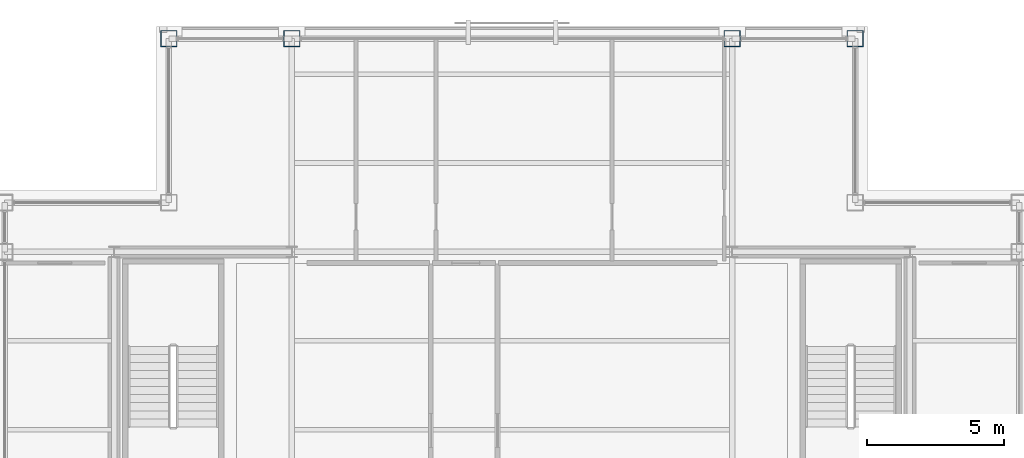
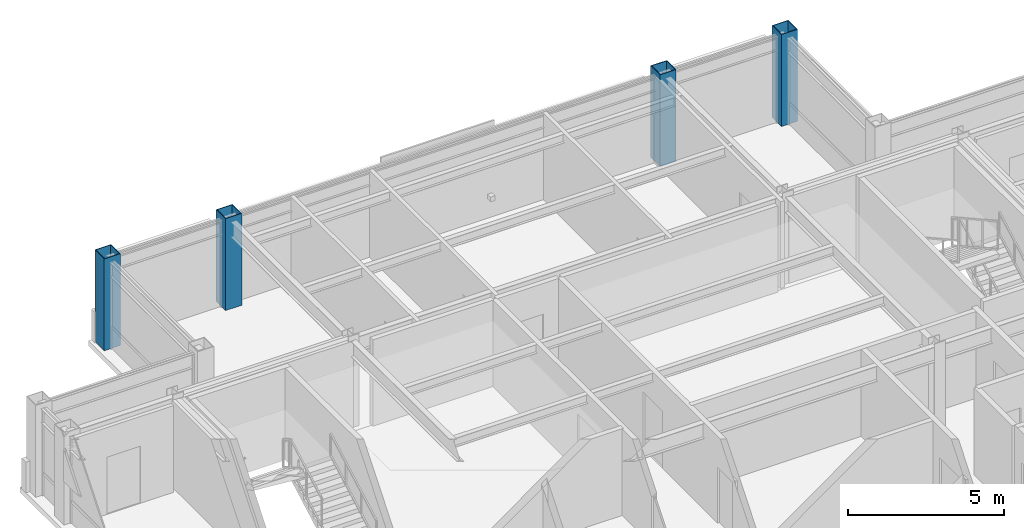
# One storey, part 2 of 28: 4 columns.
"""IFC4 building model written with IfcOpenShell, lengths in metres."""

from ifc_helpers import new_model, si_unit, direction, frame, origin, origin_2d, place, context, subcontext, project, spatial, hollow_rectangle, extrude, material, material_profile, profile_set, type_object, element, save


model = new_model("IFC4")

# Units and contexts
model_context = context("Model", 3, precision=1e-05, world=origin(), true_north=direction((0.0, 1.0)))
body_context = subcontext(model_context, "Body", "Model", "MODEL_VIEW")
ifc_project = project(units=[si_unit("LENGTHUNIT", "METRE"), si_unit("AREAUNIT", "SQUARE_METRE"), si_unit("VOLUMEUNIT", "CUBIC_METRE"), si_unit("PLANEANGLEUNIT", "RADIAN"), si_unit("MASSUNIT", "GRAM", prefix="KILO")], contexts=[model_context])

# Site, building, storey
site_placement = place(None, origin())
site = spatial("IfcSite", under=ifc_project, at=site_placement, CompositionType="ELEMENT")
building_placement = place(site_placement, origin())
building = spatial("IfcBuilding", under=site, at=building_placement, Name="Brelmoor Portico Tower", CompositionType="ELEMENT")
storey_placement = place(building_placement, frame((0.0, 0.0, 265.199951171875)))
storey = spatial("IfcBuildingStorey", under=building, at=storey_placement, Name="L70", CompositionType="ELEMENT", Elevation=265.199951171875)

# Columns
ifc_material = material(Name="Steel Q355B", Category="steel")
ifc_material_profile = material_profile(ifc_material, hollow_rectangle(XDim=0.60009765625, YDim=0.60009765625, WallThickness=0.02490234375, at=origin_2d()), Name="BOX 600x600x25")
ifc_profile_set = profile_set([ifc_material_profile], Name="Steel Q355B")
column_type = type_object("IfcColumnType", Name="COL-MEGA-600", PredefinedType="COLUMN", material=ifc_profile_set)
for number, where, z_axis, x_axis, name in (
    (1, (-12.550048828125, 17.550048828125, 0.0), (0.0, 0.0, 1.0), (1.0, 0.0, 0.0), "L70 Perimeter Mega-Column PN01"),
    (2, (-8.050048828125, 17.550048828125, 0.0), (0.0, 0.0, 1.0), (1.0, 0.0, 0.0), "L70 Perimeter Mega-Column PN02"),
    (3, (8.050048828125, 17.550048828125, 0.0), (0.0, 0.0, 1.0), (1.0, 0.0, 0.0), "L70 Perimeter Mega-Column PN03"),
    (4, (12.550048828125, 17.550048828125, 0.0), (0.0, 0.0, 1.0), (1.0, 0.0, 0.0), "L70 Perimeter Mega-Column PN04"),
):
    element("IfcColumn", number, at=place(storey_placement, frame(where, z_axis=z_axis, x_axis=x_axis)), inside=storey, type_object=column_type, Name=name, PredefinedType="COLUMN", context=body_context, shape_type="SweptSolid", body=[
        extrude(hollow_rectangle(XDim=0.60009765625, YDim=0.60009765625, WallThickness=0.02490234375, at=origin_2d()), origin(), (0.0, 0.0, 1.0), 3.60009765625),
    ])

save(model, "model.ifc")
